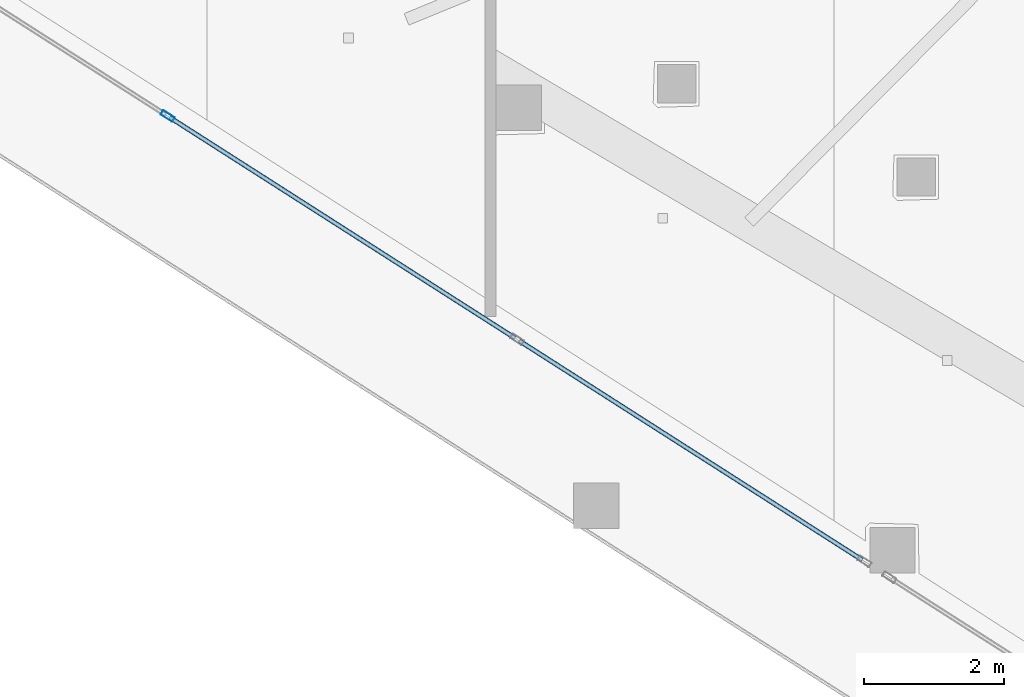
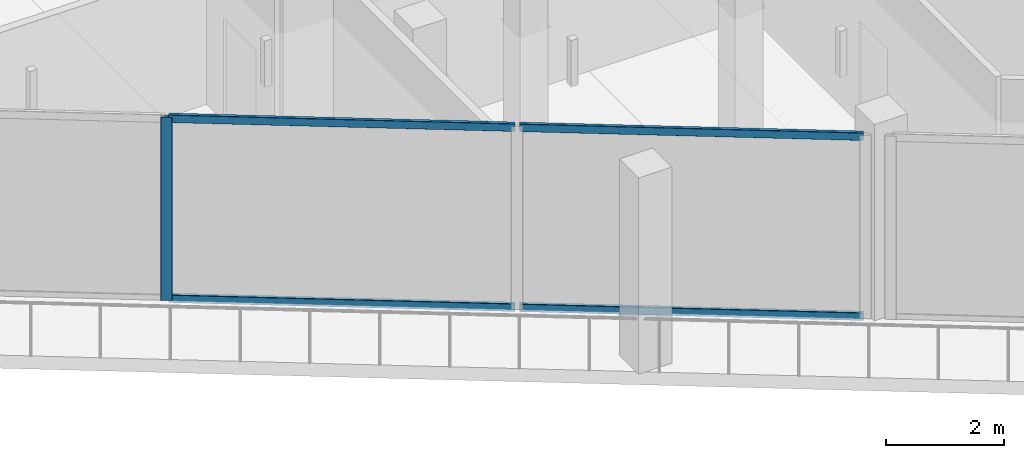
# One storey, part 3 of 38: 5 members, 1 element without a shape of its own.
"""IFC4 building model written with IfcOpenShell, lengths in metres."""

from ifc_helpers import new_model, si_unit, direction, frame, origin, origin_2d, place, context, subcontext, project, spatial, hollow_rectangle, extrude, material, layer, layer_set, material_profile, profile_set, type_object, element, aggregate, save


model = new_model("IFC4")

# Units and contexts
model_context = context("Model", 3, precision=1e-05, world=origin(), true_north=direction((0.0, 1.0)))
body_context = subcontext(model_context, "Body", "Model", "MODEL_VIEW")
ifc_project = project(units=[si_unit("LENGTHUNIT", "METRE"), si_unit("AREAUNIT", "SQUARE_METRE"), si_unit("VOLUMEUNIT", "CUBIC_METRE"), si_unit("PLANEANGLEUNIT", "RADIAN"), si_unit("MASSUNIT", "GRAM", prefix="KILO")], contexts=[model_context])

# Site, building, storey
site_placement = place(None, origin())
site = spatial("IfcSite", under=ifc_project, at=site_placement, CompositionType="ELEMENT")
building_placement = place(site_placement, origin())
building = spatial("IfcBuilding", under=site, at=building_placement, Name="Qorvath Tower", CompositionType="ELEMENT")
storey_placement = place(building_placement, frame((0.0, 0.0, 158.39990234375)))
storey = spatial("IfcBuildingStorey", under=building, at=storey_placement, Name="L36", CompositionType="ELEMENT", Elevation=158.39990234375)

# Curtain wall, members
ifc_material_1 = material(Name="Anodised aluminium and triple low-E glass", Category="aluminium")
ifc_layer = layer(ifc_material_1, 0.179931640625)
ifc_layer_set = layer_set([ifc_layer], Name="CW-SYS-5")
curtain_wall_type = type_object("IfcCurtainWallType", Name="CW-SYS-5", PredefinedType="NOTDEFINED", material=ifc_layer_set)
curtain_wall_placement = place(storey_placement, origin())
curtain_wall = element("IfcCurtainWall", 1, at=curtain_wall_placement, inside=storey, type_object=curtain_wall_type, Name="Curtain Wall CW-5 CW-T-L36-18.1", PredefinedType="NOTDEFINED")
ifc_material_2 = material(Name="Anodised aluminium 6063-T6", Category="aluminium")
ifc_material_profile_1 = material_profile(ifc_material_2, hollow_rectangle(XDim=0.074951171875, YDim=0.199951171875, WallThickness=0.00390625, InnerFilletRadius=0.00390625, OuterFilletRadius=0.008056640625, at=origin_2d()), Name="CWM 200x75")
ifc_profile_set_1 = profile_set([ifc_material_profile_1], Name="Anodised aluminium 6063-T6")
member_type_1 = type_object("IfcMemberType", Name="CWM-200", PredefinedType="MULLION", material=ifc_profile_set_1)
member_1_placement = place(storey_placement, frame((-41.384521484375, -13.25244140625, 0.0), z_axis=(0.0, 0.0, 1.0), x_axis=(0.5385386818, 0.842600788159, 0.0)))
member_1 = element("IfcMember", 2, at=member_1_placement, type_object=member_type_1, Name="CW-5 mullion 4", PredefinedType="MULLION", context=body_context, shape_type="SweptSolid", body=[
    extrude(hollow_rectangle(XDim=0.074951171875, YDim=0.199951171875, WallThickness=0.00390625, InnerFilletRadius=0.00390625, OuterFilletRadius=0.008056640625, at=origin_2d()), origin(), (0.0, 0.0, 1.0), 3.780029296875),
])
ifc_material_3 = material(Name="Anodised aluminium 6063-T6", Category="aluminium")
ifc_material_profile_2 = material_profile(ifc_material_3, hollow_rectangle(XDim=0.06494140625, YDim=0.159912109375, WallThickness=0.00341796875, InnerFilletRadius=0.00341796875, OuterFilletRadius=0.007080078125, at=origin_2d()), Name="CWT 160x65")
ifc_profile_set_2 = profile_set([ifc_material_profile_2], Name="Anodised aluminium 6063-T6")
member_type_2 = type_object("IfcMemberType", Name="CWT-160", PredefinedType="USERDEFINED", material=ifc_profile_set_2)
member_2_placement = place(storey_placement, frame((-41.35302734375, -13.2724609375, 0.032470703125), z_axis=(0.842595932, -0.538546279699, 0.0), x_axis=(0.538546279699, 0.842595932, 0.0)))
member_2 = element("IfcMember", 3, at=member_2_placement, type_object=member_type_2, Name="CW-5 transom 4.1", ObjectType="TRANSOM", PredefinedType="USERDEFINED", context=body_context, shape_type="SweptSolid", body=[
    extrude(hollow_rectangle(XDim=0.06494140625, YDim=0.159912109375, WallThickness=0.00341796875, InnerFilletRadius=0.00341796875, OuterFilletRadius=0.007080078125, at=origin_2d()), origin(), (0.0, 0.0, 1.0), 5.8583984375),
])
member_3_placement = place(storey_placement, frame((-41.35302734375, -13.2724609375, 3.74755859375), z_axis=(0.842595932, -0.538546279699, 0.0), x_axis=(0.538546279699, 0.842595932, 0.0)))
member_3 = element("IfcMember", 4, at=member_3_placement, type_object=member_type_2, Name="CW-5 transom 4.2", ObjectType="TRANSOM", PredefinedType="USERDEFINED", context=body_context, shape_type="SweptSolid", body=[
    extrude(hollow_rectangle(XDim=0.06494140625, YDim=0.159912109375, WallThickness=0.00341796875, InnerFilletRadius=0.00341796875, OuterFilletRadius=0.007080078125, at=origin_2d()), origin(), (0.0, 0.0, 1.0), 5.8583984375),
])
member_4_placement = place(storey_placement, frame((-36.353759765625, -16.4677734375, 0.032470703125), z_axis=(0.842613258114, -0.538519170736, 0.0), x_axis=(0.538519170736, 0.842613258114, 0.0)))
member_4 = element("IfcMember", 5, at=member_4_placement, type_object=member_type_2, Name="CW-5 transom 5.1", ObjectType="TRANSOM", PredefinedType="USERDEFINED", context=body_context, shape_type="SweptSolid", body=[
    extrude(hollow_rectangle(XDim=0.06494140625, YDim=0.159912109375, WallThickness=0.00341796875, InnerFilletRadius=0.00341796875, OuterFilletRadius=0.007080078125, at=origin_2d()), origin(), (0.0, 0.0, 1.0), 5.820556640625),
])
member_5_placement = place(storey_placement, frame((-36.353759765625, -16.4677734375, 3.74755859375), z_axis=(0.842613258114, -0.538519170736, 0.0), x_axis=(0.538519170736, 0.842613258114, 0.0)))
member_5 = element("IfcMember", 6, at=member_5_placement, type_object=member_type_2, Name="CW-5 transom 5.2", ObjectType="TRANSOM", PredefinedType="USERDEFINED", context=body_context, shape_type="SweptSolid", body=[
    extrude(hollow_rectangle(XDim=0.06494140625, YDim=0.159912109375, WallThickness=0.00341796875, InnerFilletRadius=0.00341796875, OuterFilletRadius=0.007080078125, at=origin_2d()), origin(), (0.0, 0.0, 1.0), 5.820556640625),
])
aggregate(curtain_wall, [member_1, member_2, member_3, member_4, member_5])

save(model, "model.ifc")
